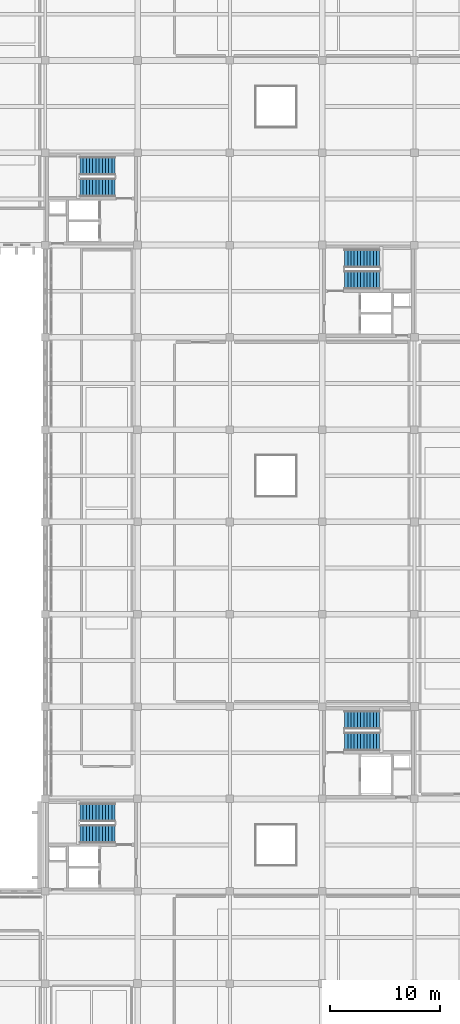
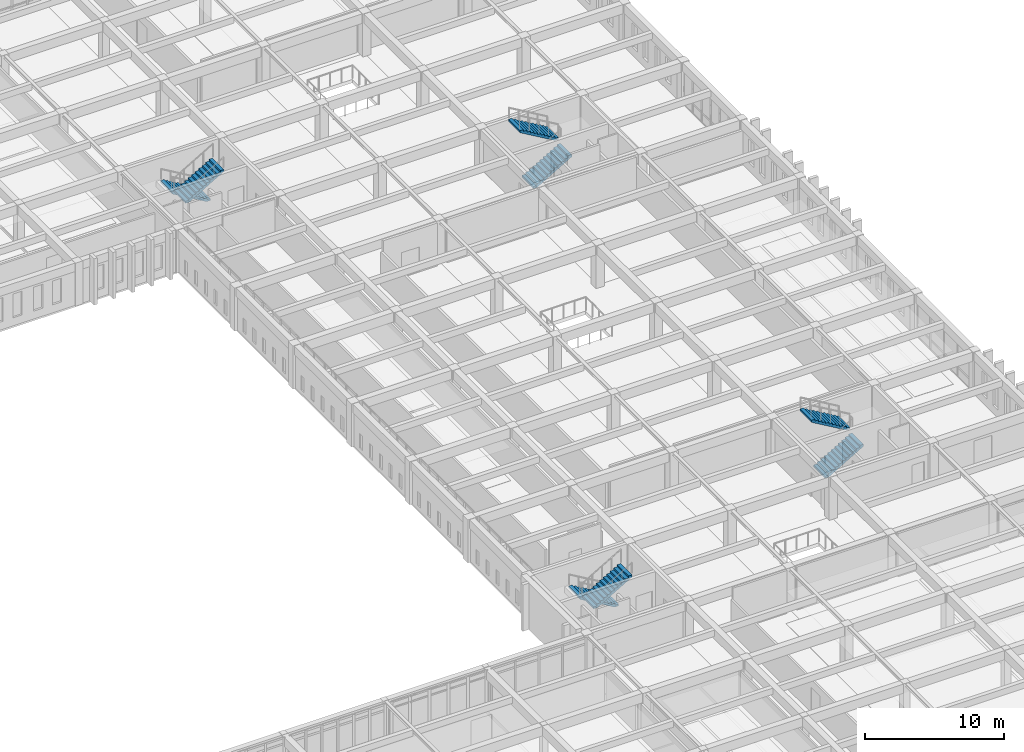
# One storey, part 101 of 110: 8 stair flights, 4 elements without a shape of their own.
"""IFC4 building model written with IfcOpenShell, lengths in metres."""

import ifcopenshell
import ifcopenshell.guid

model = None  # the IFC model being written
_history = None  # IfcOwnerHistory: only IFC2X3 demands one
_inside = {}  # id of a spatial element -> (the spatial element, [elements in it])
_under = {}  # id of a project, library or spatial element -> (it, [spatial elements below it])
_declared = {}  # id of a project -> (the project, [libraries it declares])
_typed = {}  # id of a type object -> (the type object, [elements of that type])
_made_of = {}  # id of a material, layer set ... -> (it, [elements and type objects made of it])


def new_model(schema):
    """Start an empty IFC model of exactly this schema.

    Asked for "IFC4X3", IfcOpenShell would pick the latest addendum, in which some entities
    have other attributes; the version numbers below select the first issue.
    IFC2X3 requires an IfcOwnerHistory on every rooted entity: one is made here for all.
    """
    global model, _history
    if schema == "IFC4X3":
        model = ifcopenshell.file(schema_version=(4, 3, 0, 0))
    else:
        model = ifcopenshell.file(schema=schema)
    _inside.clear()
    _under.clear()
    _declared.clear()
    _typed.clear()
    _made_of.clear()
    _history = None
    if model.schema == "IFC2X3":
        org = make("IfcOrganization", Name="unknown")
        user = make(
            "IfcPersonAndOrganization",
            ThePerson=make("IfcPerson", FamilyName="unknown"),
            TheOrganization=org,
        )
        app = make(
            "IfcApplication",
            ApplicationDeveloper=org,
            Version="unknown",
            ApplicationFullName="unknown",
            ApplicationIdentifier="unknown",
        )
        _history = make(
            "IfcOwnerHistory",
            OwningUser=user,
            OwningApplication=app,
            ChangeAction="ADDED",
            CreationDate=0,
        )
    return model


def make(cls, **values):
    """One entity of the class cls with the attributes given. An attribute that is None is left unset."""
    return model.create_entity(
        cls, **{name: value for name, value in values.items() if value is not None}
    )


def rooted(cls, **values):
    """An entity with a GlobalId (a new one), such as an element, a storey or a relation."""
    return make(cls, GlobalId=ifcopenshell.guid.new(), OwnerHistory=_history, **values)


def si_unit(unit_type, name, prefix=None):
    """IfcSIUnit, for example si_unit("LENGTHUNIT", "METRE", prefix="MILLI")."""
    return make("IfcSIUnit", UnitType=unit_type, Prefix=prefix, Name=name)


def assignment(units):
    """IfcUnitAssignment: the units of a project."""
    return None if units is None else make("IfcUnitAssignment", Units=units)


def point(xyz):
    """IfcCartesianPoint."""
    return None if xyz is None else make("IfcCartesianPoint", Coordinates=xyz)


def direction(xyz):
    """IfcDirection."""
    return None if xyz is None else make("IfcDirection", DirectionRatios=xyz)


def frame(location, z_axis=None, x_axis=None):
    """IfcAxis2Placement3D, a coordinate frame: its origin and axes. An axis left out is left unset."""
    return make(
        "IfcAxis2Placement3D",
        Location=point(location),
        Axis=direction(z_axis),
        RefDirection=direction(x_axis),
    )


def origin():
    """The frame at (0, 0, 0) with its axes left unset."""
    return frame((0.0, 0.0, 0.0))


def place(relative_to, where):
    """IfcLocalPlacement: puts the frame where relative to a parent placement (None: the world)."""
    return make(
        "IfcLocalPlacement", PlacementRelTo=relative_to, RelativePlacement=where
    )


def context(
    kind, dimensions, precision=None, world=None, true_north=None, identifier=None
):
    """IfcGeometricRepresentationContext, for example the 3D "Model" context."""
    return make(
        "IfcGeometricRepresentationContext",
        ContextIdentifier=identifier,
        ContextType=kind,
        CoordinateSpaceDimension=dimensions,
        Precision=precision,
        WorldCoordinateSystem=world,
        TrueNorth=true_north,
    )


def subcontext(parent, identifier, kind, view, scale=None):
    """IfcGeometricRepresentationSubContext, for example "Body" below "Model"."""
    return make(
        "IfcGeometricRepresentationSubContext",
        ContextIdentifier=identifier,
        ContextType=kind,
        ParentContext=parent,
        TargetScale=scale,
        TargetView=view,
    )


def project(units=None, contexts=None):
    """IfcProject with its units and contexts."""
    return rooted(
        "IfcProject",
        Name="project",
        RepresentationContexts=contexts,
        UnitsInContext=assignment(units),
    )


def spatial(cls, under=None, at=None, **own):
    """A site, building, storey or space (cls), placed at a placement, below another one or the project."""
    s = rooted(cls, ObjectPlacement=at, **own)
    if under is not None:
        _under.setdefault(under.id(), (under, []))[1].append(s)
    return s


def polyline(points):
    """IfcPolyline through the points."""
    return make("IfcPolyline", Points=[point(p) for p in points])


def outline(outer, holes=None, kind="AREA"):
    """IfcArbitraryClosedProfileDef: a profile drawn as a closed curve; with holes, ...WithVoids."""
    if holes is None:
        return make("IfcArbitraryClosedProfileDef", ProfileType=kind, OuterCurve=outer)
    return make(
        "IfcArbitraryProfileDefWithVoids",
        ProfileType=kind,
        OuterCurve=outer,
        InnerCurves=holes,
    )


def extrude(swept, where, along, depth):
    """IfcExtrudedAreaSolid: the profile swept, set in the frame where, extruded along a direction by depth."""
    return make(
        "IfcExtrudedAreaSolid",
        SweptArea=swept,
        Position=where,
        ExtrudedDirection=direction(along),
        Depth=depth,
    )


def shape(context_of_items, identifier, shape_type, items):
    """IfcShapeRepresentation: the items that make up one representation, for example the "Body"."""
    return make(
        "IfcShapeRepresentation",
        ContextOfItems=context_of_items,
        RepresentationIdentifier=identifier,
        RepresentationType=shape_type,
        Items=items,
    )


def material(Name=None, Category=None):
    """IfcMaterial."""
    return make("IfcMaterial", Name=Name, Category=Category)


def made_of(thing, what):
    """Note that an element or type object is made of a material, layer set ...; save() writes the relation."""
    if what is not None:
        _made_of.setdefault(what.id(), (what, []))[1].append(thing)
    return thing


def type_object(cls, material=None, **own):
    """A type object (cls), such as IfcWallType, which elements share."""
    return made_of(rooted(cls, **own), material)


def element(
    cls,
    number,
    at=None,
    inside=None,
    cuts=None,
    type_object=None,
    material=None,
    context=None,
    identifier="Body",
    shape_type=None,
    held_by="IfcProductDefinitionShape",
    body=None,
    shapes=None,
    **own,
):
    """One element of the class cls, such as IfcWall. Its Tag is "e" and its number.

    at: its placement. inside: the storey or other place that contains it. cuts: it is an
    opening in that element (IfcRelVoidsElement). A single representation is given by context,
    identifier, shape_type and body (its items); several are given by shapes. held_by: the class
    of the entity that holds the representations. save() writes the other relations.
    """
    e = rooted(cls, Tag="e%d" % number, ObjectPlacement=at, **own)
    if body is not None:
        shapes = [shape(context, identifier, shape_type, body)]
    if shapes is not None:
        e.Representation = make(held_by, Representations=shapes)
    if inside is not None:
        _inside.setdefault(inside.id(), (inside, []))[1].append(e)
    if cuts is not None:
        rooted(
            "IfcRelVoidsElement", RelatingBuildingElement=cuts, RelatedOpeningElement=e
        )
    if type_object is not None:
        _typed.setdefault(type_object.id(), (type_object, []))[1].append(e)
    return made_of(e, material)


def aggregate(whole, parts):
    """IfcRelAggregates: a whole, such as a stair, and the parts it consists of."""
    return rooted("IfcRelAggregates", RelatingObject=whole, RelatedObjects=parts)


def save(model, path):
    """Write the relations noted so far, then the file.

    IfcRelAggregates (storeys below a building ...), IfcRelContainedInSpatialStructure (elements
    in a storey), IfcRelDefinesByType, IfcRelAssociatesMaterial and IfcRelDeclares: one each for
    every whole, place, type object, material and project.
    """
    for whole, parts in _under.values():
        aggregate(whole, parts)
    for where, things in _inside.values():
        rooted(
            "IfcRelContainedInSpatialStructure",
            RelatedElements=things,
            RelatingStructure=where,
        )
    for kind, things in _typed.values():
        rooted("IfcRelDefinesByType", RelatedObjects=things, RelatingType=kind)
    for what, things in _made_of.values():
        rooted("IfcRelAssociatesMaterial", RelatedObjects=things, RelatingMaterial=what)
    for by, libraries in _declared.values():
        rooted("IfcRelDeclares", RelatingContext=by, RelatedDefinitions=libraries)
    model.write(path)


model = new_model("IFC4")

# Units and contexts
model_context = context("Model", 3, precision=1e-05, world=origin(), true_north=direction((0.0, 1.0)))
body_context = subcontext(model_context, "Body", "Model", "MODEL_VIEW")
ifc_project = project(units=[si_unit("LENGTHUNIT", "METRE"), si_unit("AREAUNIT", "SQUARE_METRE"), si_unit("VOLUMEUNIT", "CUBIC_METRE"), si_unit("PLANEANGLEUNIT", "RADIAN"), si_unit("MASSUNIT", "GRAM", prefix="KILO")], contexts=[model_context])

# Site, building, storey
site_placement = place(None, origin())
site = spatial("IfcSite", under=ifc_project, at=site_placement, CompositionType="ELEMENT")
building_placement = place(site_placement, origin())
building = spatial("IfcBuilding", under=site, at=building_placement, Name="Kveldsbrygga Polytechnic", CompositionType="ELEMENT")
storey_placement = place(building_placement, frame((0.0, 0.0, 9.860107421875)))
storey = spatial("IfcBuildingStorey", under=building, at=storey_placement, Name="L02", CompositionType="ELEMENT", Elevation=9.860107421875)

# Stair, stair flights
ifc_material = material(Name="Concrete C35/45", Category="concrete")
stair_type = type_object("IfcStairType", Name="STR-CORE-408", PredefinedType="HALF_TURN_STAIR", material=ifc_material)
stair_1_placement = place(storey_placement, origin())
stair_1 = element("IfcStair", 1, at=stair_1_placement, inside=storey, type_object=stair_type, Name="L02 Core C1 Escape Stair ST-1", PredefinedType="HALF_TURN_STAIR")
stair_flight_type = type_object("IfcStairFlightType", Name="SFL-CORE-12R", PredefinedType="STRAIGHT", material=ifc_material)
stair_flight_1_placement = place(storey_placement, frame((132.35009765625, 32.375, 0.0), z_axis=(0.0, 0.0, 1.0), x_axis=(-1.0, 0.0, 0.0)))
stair_flight_1 = element("IfcStairFlight", 2, at=stair_flight_1_placement, type_object=stair_flight_type, Name="ST-1 flight 1", NumberOfRisers=12, NumberOfTreads=11, PredefinedType="STRAIGHT", RiserHeight=0.17, TreadLength=0.29, context=body_context, shape_type="SweptSolid", body=[
    extrude(outline(polyline([(0.0, 0.0), (0.0, 0.169921875), (0.2900390625, 0.169921875), (0.2900390625, 0.340087890625), (0.580078125, 0.340087890625), (0.580078125, 0.510009765625), (0.8701171875, 0.510009765625), (0.8701171875, 0.679931640625), (1.159912109375, 0.679931640625), (1.159912109375, 0.85009765625), (1.449951171875, 0.85009765625), (1.449951171875, 1.02001953125), (1.739990234375, 1.02001953125), (1.739990234375, 1.18994140625), (2.030029296875, 1.18994140625), (2.030029296875, 1.360107421875), (2.320068359375, 1.360107421875), (2.320068359375, 1.530029296875), (2.610107421875, 1.530029296875), (2.610107421875, 1.699951171875), (2.89990234375, 1.699951171875), (2.89990234375, 1.8701171875), (3.18994140625, 1.8701171875), (3.18994140625, 2.0400390625), (3.18994140625, 1.6845703125), (0.316162109375, 0.0), (0.0, 0.0)])), frame((0.0, 0.824951171875, 0.0), z_axis=(0.0, -1.0, 0.0), x_axis=(1.0, 0.0, 0.0)), (0.0, 0.0, 1.0), 1.64990234375),
])
stair_flight_2_placement = place(storey_placement, frame((129.159912109375, 30.425048828125, 2.039794921875), z_axis=(0.0, 0.0, 1.0), x_axis=(1.0, 0.0, 0.0)))
stair_flight_2 = element("IfcStairFlight", 3, at=stair_flight_2_placement, type_object=stair_flight_type, Name="ST-1 flight 2", NumberOfRisers=12, NumberOfTreads=11, PredefinedType="STRAIGHT", RiserHeight=0.17, TreadLength=0.29, context=body_context, shape_type="SweptSolid", body=[
    extrude(outline(polyline([(0.0, 0.0), (0.0, 0.169921875), (0.2900390625, 0.169921875), (0.2900390625, 0.340087890625), (0.580078125, 0.340087890625), (0.580078125, 0.510009765625), (0.8701171875, 0.510009765625), (0.8701171875, 0.679931640625), (1.159912109375, 0.679931640625), (1.159912109375, 0.85009765625), (1.449951171875, 0.85009765625), (1.449951171875, 1.02001953125), (1.739990234375, 1.02001953125), (1.739990234375, 1.18994140625), (2.030029296875, 1.18994140625), (2.030029296875, 1.360107421875), (2.320068359375, 1.360107421875), (2.320068359375, 1.530029296875), (2.610107421875, 1.530029296875), (2.610107421875, 1.699951171875), (2.89990234375, 1.699951171875), (2.89990234375, 1.8701171875), (3.18994140625, 1.8701171875), (3.18994140625, 2.0400390625), (3.18994140625, 1.6845703125), (0.316162109375, 0.0), (0.0, 0.0)])), frame((0.0, 0.824951171875, 0.0), z_axis=(0.0, -1.0, 0.0), x_axis=(1.0, 0.0, 0.0)), (0.0, 0.0, 1.0), 1.64990234375),
])
aggregate(stair_1, [stair_flight_1, stair_flight_2])

stair_2_placement = place(storey_placement, origin())
stair_2 = element("IfcStair", 4, at=stair_2_placement, inside=storey, type_object=stair_type, Name="L02 Core C2 Escape Stair ST-2", PredefinedType="HALF_TURN_STAIR")
stair_flight_3_placement = place(storey_placement, frame((132.35009765625, 91.175048828125, 0.0), z_axis=(0.0, 0.0, 1.0), x_axis=(-1.0, 0.0, 0.0)))
stair_flight_3 = element("IfcStairFlight", 5, at=stair_flight_3_placement, type_object=stair_flight_type, Name="ST-2 flight 1", NumberOfRisers=12, NumberOfTreads=11, PredefinedType="STRAIGHT", RiserHeight=0.17, TreadLength=0.29, context=body_context, shape_type="SweptSolid", body=[
    extrude(outline(polyline([(0.0, 0.0), (0.0, 0.169921875), (0.2900390625, 0.169921875), (0.2900390625, 0.340087890625), (0.580078125, 0.340087890625), (0.580078125, 0.510009765625), (0.8701171875, 0.510009765625), (0.8701171875, 0.679931640625), (1.159912109375, 0.679931640625), (1.159912109375, 0.85009765625), (1.449951171875, 0.85009765625), (1.449951171875, 1.02001953125), (1.739990234375, 1.02001953125), (1.739990234375, 1.18994140625), (2.030029296875, 1.18994140625), (2.030029296875, 1.360107421875), (2.320068359375, 1.360107421875), (2.320068359375, 1.530029296875), (2.610107421875, 1.530029296875), (2.610107421875, 1.699951171875), (2.89990234375, 1.699951171875), (2.89990234375, 1.8701171875), (3.18994140625, 1.8701171875), (3.18994140625, 2.0400390625), (3.18994140625, 1.6845703125), (0.316162109375, 0.0), (0.0, 0.0)])), frame((0.0, 0.824951171875, 0.0), z_axis=(0.0, -1.0, 0.0), x_axis=(1.0, 0.0, 0.0)), (0.0, 0.0, 1.0), 1.64990234375),
])
stair_flight_4_placement = place(storey_placement, frame((129.159912109375, 89.22509765625, 2.039794921875), z_axis=(0.0, 0.0, 1.0), x_axis=(1.0, 0.0, 0.0)))
stair_flight_4 = element("IfcStairFlight", 6, at=stair_flight_4_placement, type_object=stair_flight_type, Name="ST-2 flight 2", NumberOfRisers=12, NumberOfTreads=11, PredefinedType="STRAIGHT", RiserHeight=0.17, TreadLength=0.29, context=body_context, shape_type="SweptSolid", body=[
    extrude(outline(polyline([(0.0, 0.0), (0.0, 0.169921875), (0.2900390625, 0.169921875), (0.2900390625, 0.340087890625), (0.580078125, 0.340087890625), (0.580078125, 0.510009765625), (0.8701171875, 0.510009765625), (0.8701171875, 0.679931640625), (1.159912109375, 0.679931640625), (1.159912109375, 0.85009765625), (1.449951171875, 0.85009765625), (1.449951171875, 1.02001953125), (1.739990234375, 1.02001953125), (1.739990234375, 1.18994140625), (2.030029296875, 1.18994140625), (2.030029296875, 1.360107421875), (2.320068359375, 1.360107421875), (2.320068359375, 1.530029296875), (2.610107421875, 1.530029296875), (2.610107421875, 1.699951171875), (2.89990234375, 1.699951171875), (2.89990234375, 1.8701171875), (3.18994140625, 1.8701171875), (3.18994140625, 2.0400390625), (3.18994140625, 1.6845703125), (0.316162109375, 0.0), (0.0, 0.0)])), frame((0.0, 0.824951171875, 0.0), z_axis=(0.0, -1.0, 0.0), x_axis=(1.0, 0.0, 0.0)), (0.0, 0.0, 1.0), 1.64990234375),
])
aggregate(stair_2, [stair_flight_3, stair_flight_4])

stair_3_placement = place(storey_placement, origin())
stair_3 = element("IfcStair", 7, at=stair_3_placement, inside=storey, type_object=stair_type, Name="L02 Core C3 Escape Stair ST-3", PredefinedType="HALF_TURN_STAIR")
stair_flight_5_placement = place(storey_placement, frame((153.25, 38.824951171875, 0.0), z_axis=(0.0, 0.0, 1.0), x_axis=(1.0, 0.0, 0.0)))
stair_flight_5 = element("IfcStairFlight", 8, at=stair_flight_5_placement, type_object=stair_flight_type, Name="ST-3 flight 1", NumberOfRisers=12, NumberOfTreads=11, PredefinedType="STRAIGHT", RiserHeight=0.17, TreadLength=0.29, context=body_context, shape_type="SweptSolid", body=[
    extrude(outline(polyline([(0.0, 0.0), (0.0, 0.169921875), (0.2900390625, 0.169921875), (0.2900390625, 0.340087890625), (0.580078125, 0.340087890625), (0.580078125, 0.510009765625), (0.8701171875, 0.510009765625), (0.8701171875, 0.679931640625), (1.159912109375, 0.679931640625), (1.159912109375, 0.85009765625), (1.449951171875, 0.85009765625), (1.449951171875, 1.02001953125), (1.739990234375, 1.02001953125), (1.739990234375, 1.18994140625), (2.030029296875, 1.18994140625), (2.030029296875, 1.360107421875), (2.320068359375, 1.360107421875), (2.320068359375, 1.530029296875), (2.610107421875, 1.530029296875), (2.610107421875, 1.699951171875), (2.89990234375, 1.699951171875), (2.89990234375, 1.8701171875), (3.18994140625, 1.8701171875), (3.18994140625, 2.0400390625), (3.18994140625, 1.6845703125), (0.316162109375, 0.0), (0.0, 0.0)])), frame((0.0, 0.824951171875, 0.0), z_axis=(0.0, -1.0, 0.0), x_axis=(1.0, 0.0, 0.0)), (0.0, 0.0, 1.0), 1.64990234375),
])
stair_flight_6_placement = place(storey_placement, frame((156.43994140625, 40.77490234375, 2.039794921875), z_axis=(0.0, 0.0, 1.0), x_axis=(-1.0, 0.0, 0.0)))
stair_flight_6 = element("IfcStairFlight", 9, at=stair_flight_6_placement, type_object=stair_flight_type, Name="ST-3 flight 2", NumberOfRisers=12, NumberOfTreads=11, PredefinedType="STRAIGHT", RiserHeight=0.17, TreadLength=0.29, context=body_context, shape_type="SweptSolid", body=[
    extrude(outline(polyline([(0.0, 0.0), (0.0, 0.169921875), (0.2900390625, 0.169921875), (0.2900390625, 0.340087890625), (0.580078125, 0.340087890625), (0.580078125, 0.510009765625), (0.8701171875, 0.510009765625), (0.8701171875, 0.679931640625), (1.159912109375, 0.679931640625), (1.159912109375, 0.85009765625), (1.449951171875, 0.85009765625), (1.449951171875, 1.02001953125), (1.739990234375, 1.02001953125), (1.739990234375, 1.18994140625), (2.030029296875, 1.18994140625), (2.030029296875, 1.360107421875), (2.320068359375, 1.360107421875), (2.320068359375, 1.530029296875), (2.610107421875, 1.530029296875), (2.610107421875, 1.699951171875), (2.89990234375, 1.699951171875), (2.89990234375, 1.8701171875), (3.18994140625, 1.8701171875), (3.18994140625, 2.0400390625), (3.18994140625, 1.6845703125), (0.316162109375, 0.0), (0.0, 0.0)])), frame((0.0, 0.824951171875, 0.0), z_axis=(0.0, -1.0, 0.0), x_axis=(1.0, 0.0, 0.0)), (0.0, 0.0, 1.0), 1.64990234375),
])
aggregate(stair_3, [stair_flight_5, stair_flight_6])

stair_4_placement = place(storey_placement, origin())
stair_4 = element("IfcStair", 10, at=stair_4_placement, inside=storey, type_object=stair_type, Name="L02 Core C4 Escape Stair ST-4", PredefinedType="HALF_TURN_STAIR")
stair_flight_7_placement = place(storey_placement, frame((153.25, 80.824951171875, 0.0), z_axis=(0.0, 0.0, 1.0), x_axis=(1.0, 0.0, 0.0)))
stair_flight_7 = element("IfcStairFlight", 11, at=stair_flight_7_placement, type_object=stair_flight_type, Name="ST-4 flight 1", NumberOfRisers=12, NumberOfTreads=11, PredefinedType="STRAIGHT", RiserHeight=0.17, TreadLength=0.29, context=body_context, shape_type="SweptSolid", body=[
    extrude(outline(polyline([(0.0, 0.0), (0.0, 0.169921875), (0.2900390625, 0.169921875), (0.2900390625, 0.340087890625), (0.580078125, 0.340087890625), (0.580078125, 0.510009765625), (0.8701171875, 0.510009765625), (0.8701171875, 0.679931640625), (1.159912109375, 0.679931640625), (1.159912109375, 0.85009765625), (1.449951171875, 0.85009765625), (1.449951171875, 1.02001953125), (1.739990234375, 1.02001953125), (1.739990234375, 1.18994140625), (2.030029296875, 1.18994140625), (2.030029296875, 1.360107421875), (2.320068359375, 1.360107421875), (2.320068359375, 1.530029296875), (2.610107421875, 1.530029296875), (2.610107421875, 1.699951171875), (2.89990234375, 1.699951171875), (2.89990234375, 1.8701171875), (3.18994140625, 1.8701171875), (3.18994140625, 2.0400390625), (3.18994140625, 1.6845703125), (0.316162109375, 0.0), (0.0, 0.0)])), frame((0.0, 0.824951171875, 0.0), z_axis=(0.0, -1.0, 0.0), x_axis=(1.0, 0.0, 0.0)), (0.0, 0.0, 1.0), 1.64990234375),
])
stair_flight_8_placement = place(storey_placement, frame((156.43994140625, 82.77490234375, 2.039794921875), z_axis=(0.0, 0.0, 1.0), x_axis=(-1.0, 0.0, 0.0)))
stair_flight_8 = element("IfcStairFlight", 12, at=stair_flight_8_placement, type_object=stair_flight_type, Name="ST-4 flight 2", NumberOfRisers=12, NumberOfTreads=11, PredefinedType="STRAIGHT", RiserHeight=0.17, TreadLength=0.29, context=body_context, shape_type="SweptSolid", body=[
    extrude(outline(polyline([(0.0, 0.0), (0.0, 0.169921875), (0.2900390625, 0.169921875), (0.2900390625, 0.340087890625), (0.580078125, 0.340087890625), (0.580078125, 0.510009765625), (0.8701171875, 0.510009765625), (0.8701171875, 0.679931640625), (1.159912109375, 0.679931640625), (1.159912109375, 0.85009765625), (1.449951171875, 0.85009765625), (1.449951171875, 1.02001953125), (1.739990234375, 1.02001953125), (1.739990234375, 1.18994140625), (2.030029296875, 1.18994140625), (2.030029296875, 1.360107421875), (2.320068359375, 1.360107421875), (2.320068359375, 1.530029296875), (2.610107421875, 1.530029296875), (2.610107421875, 1.699951171875), (2.89990234375, 1.699951171875), (2.89990234375, 1.8701171875), (3.18994140625, 1.8701171875), (3.18994140625, 2.0400390625), (3.18994140625, 1.6845703125), (0.316162109375, 0.0), (0.0, 0.0)])), frame((0.0, 0.824951171875, 0.0), z_axis=(0.0, -1.0, 0.0), x_axis=(1.0, 0.0, 0.0)), (0.0, 0.0, 1.0), 1.64990234375),
])
aggregate(stair_4, [stair_flight_7, stair_flight_8])

save(model, "model.ifc")
